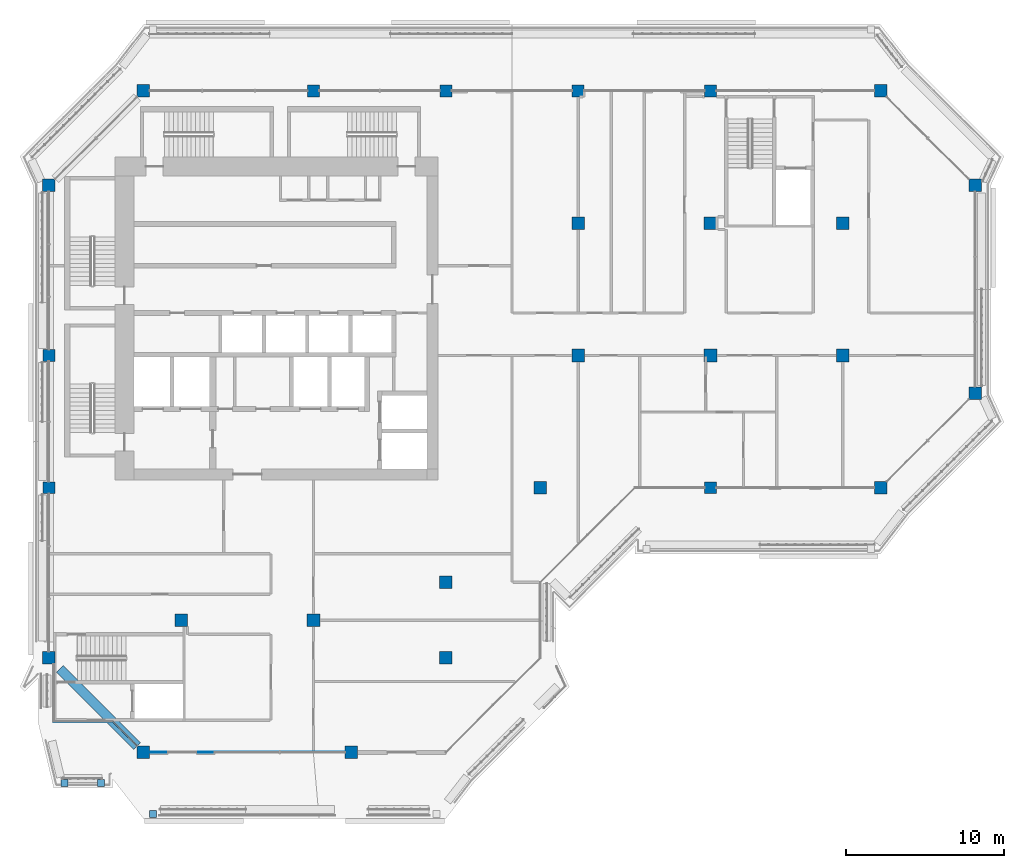
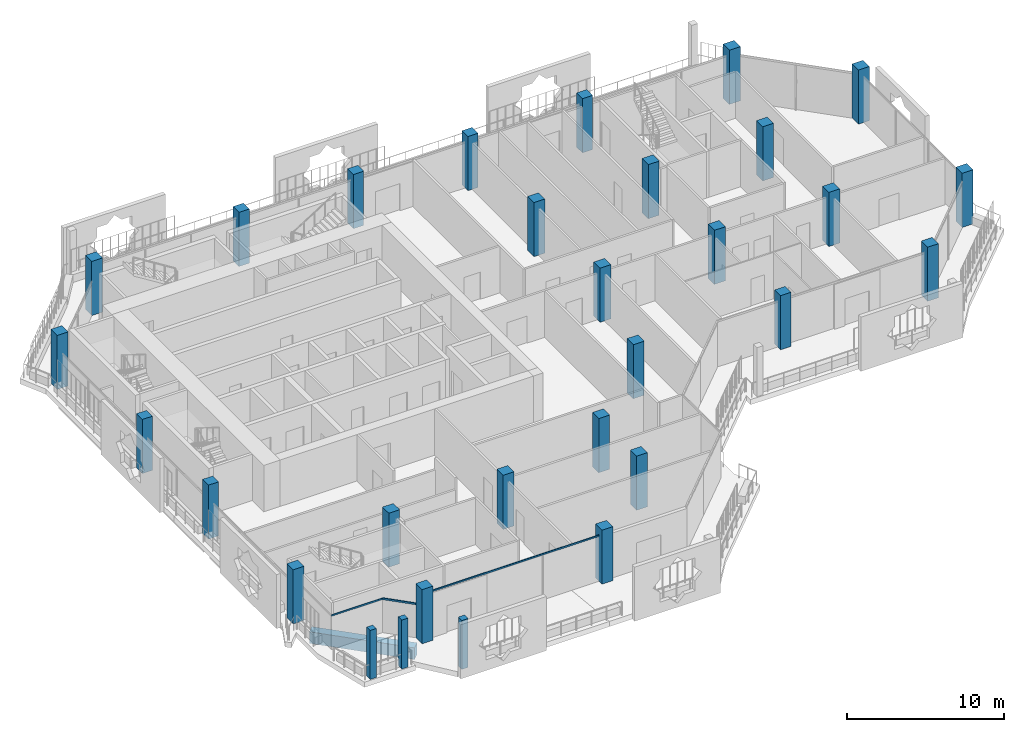
# One storey, part 1 of 22: 27 columns, 6 members, 1 beam, 4 elements without a shape of their own.
"""IFC4 building model written with IfcOpenShell, lengths in metres."""

import ifcopenshell
import ifcopenshell.guid

model = None  # the IFC model being written
_history = None  # IfcOwnerHistory: only IFC2X3 demands one
_inside = {}  # id of a spatial element -> (the spatial element, [elements in it])
_under = {}  # id of a project, library or spatial element -> (it, [spatial elements below it])
_declared = {}  # id of a project -> (the project, [libraries it declares])
_typed = {}  # id of a type object -> (the type object, [elements of that type])
_made_of = {}  # id of a material, layer set ... -> (it, [elements and type objects made of it])


def new_model(schema):
    """Start an empty IFC model of exactly this schema.

    Asked for "IFC4X3", IfcOpenShell would pick the latest addendum, in which some entities
    have other attributes; the version numbers below select the first issue.
    IFC2X3 requires an IfcOwnerHistory on every rooted entity: one is made here for all.
    """
    global model, _history
    if schema == "IFC4X3":
        model = ifcopenshell.file(schema_version=(4, 3, 0, 0))
    else:
        model = ifcopenshell.file(schema=schema)
    _inside.clear()
    _under.clear()
    _declared.clear()
    _typed.clear()
    _made_of.clear()
    _history = None
    if model.schema == "IFC2X3":
        org = make("IfcOrganization", Name="unknown")
        user = make(
            "IfcPersonAndOrganization",
            ThePerson=make("IfcPerson", FamilyName="unknown"),
            TheOrganization=org,
        )
        app = make(
            "IfcApplication",
            ApplicationDeveloper=org,
            Version="unknown",
            ApplicationFullName="unknown",
            ApplicationIdentifier="unknown",
        )
        _history = make(
            "IfcOwnerHistory",
            OwningUser=user,
            OwningApplication=app,
            ChangeAction="ADDED",
            CreationDate=0,
        )
    return model


def make(cls, **values):
    """One entity of the class cls with the attributes given. An attribute that is None is left unset."""
    return model.create_entity(
        cls, **{name: value for name, value in values.items() if value is not None}
    )


def rooted(cls, **values):
    """An entity with a GlobalId (a new one), such as an element, a storey or a relation."""
    return make(cls, GlobalId=ifcopenshell.guid.new(), OwnerHistory=_history, **values)


def si_unit(unit_type, name, prefix=None):
    """IfcSIUnit, for example si_unit("LENGTHUNIT", "METRE", prefix="MILLI")."""
    return make("IfcSIUnit", UnitType=unit_type, Prefix=prefix, Name=name)


def assignment(units):
    """IfcUnitAssignment: the units of a project."""
    return None if units is None else make("IfcUnitAssignment", Units=units)


def point(xyz):
    """IfcCartesianPoint."""
    return None if xyz is None else make("IfcCartesianPoint", Coordinates=xyz)


def direction(xyz):
    """IfcDirection."""
    return None if xyz is None else make("IfcDirection", DirectionRatios=xyz)


def frame(location, z_axis=None, x_axis=None):
    """IfcAxis2Placement3D, a coordinate frame: its origin and axes. An axis left out is left unset."""
    return make(
        "IfcAxis2Placement3D",
        Location=point(location),
        Axis=direction(z_axis),
        RefDirection=direction(x_axis),
    )


def frame_2d(location, x_axis=None):
    """IfcAxis2Placement2D, a coordinate frame in the plane: its origin and x axis."""
    return make(
        "IfcAxis2Placement2D", Location=point(location), RefDirection=direction(x_axis)
    )


def origin():
    """The frame at (0, 0, 0) with its axes left unset."""
    return frame((0.0, 0.0, 0.0))


def origin_2d():
    """The frame at (0, 0) in the plane with its x axis left unset."""
    return frame_2d((0.0, 0.0))


def place(relative_to, where):
    """IfcLocalPlacement: puts the frame where relative to a parent placement (None: the world)."""
    return make(
        "IfcLocalPlacement", PlacementRelTo=relative_to, RelativePlacement=where
    )


def context(
    kind, dimensions, precision=None, world=None, true_north=None, identifier=None
):
    """IfcGeometricRepresentationContext, for example the 3D "Model" context."""
    return make(
        "IfcGeometricRepresentationContext",
        ContextIdentifier=identifier,
        ContextType=kind,
        CoordinateSpaceDimension=dimensions,
        Precision=precision,
        WorldCoordinateSystem=world,
        TrueNorth=true_north,
    )


def subcontext(parent, identifier, kind, view, scale=None):
    """IfcGeometricRepresentationSubContext, for example "Body" below "Model"."""
    return make(
        "IfcGeometricRepresentationSubContext",
        ContextIdentifier=identifier,
        ContextType=kind,
        ParentContext=parent,
        TargetScale=scale,
        TargetView=view,
    )


def project(units=None, contexts=None):
    """IfcProject with its units and contexts."""
    return rooted(
        "IfcProject",
        Name="project",
        RepresentationContexts=contexts,
        UnitsInContext=assignment(units),
    )


def spatial(cls, under=None, at=None, **own):
    """A site, building, storey or space (cls), placed at a placement, below another one or the project."""
    s = rooted(cls, ObjectPlacement=at, **own)
    if under is not None:
        _under.setdefault(under.id(), (under, []))[1].append(s)
    return s


def profile(cls, at=None, kind="AREA", **sizes):
    """A parametric profile (cls). Its sizes go by their IFC names, for example OverallWidth=200.0."""
    return make(cls, ProfileType=kind, Position=at, **sizes)


def rectangle(**sizes):
    """IfcRectangleProfileDef."""
    return profile("IfcRectangleProfileDef", **sizes)


def extrude(swept, where, along, depth):
    """IfcExtrudedAreaSolid: the profile swept, set in the frame where, extruded along a direction by depth."""
    return make(
        "IfcExtrudedAreaSolid",
        SweptArea=swept,
        Position=where,
        ExtrudedDirection=direction(along),
        Depth=depth,
    )


def shape(context_of_items, identifier, shape_type, items):
    """IfcShapeRepresentation: the items that make up one representation, for example the "Body"."""
    return make(
        "IfcShapeRepresentation",
        ContextOfItems=context_of_items,
        RepresentationIdentifier=identifier,
        RepresentationType=shape_type,
        Items=items,
    )


def material(Name=None, Category=None):
    """IfcMaterial."""
    return make("IfcMaterial", Name=Name, Category=Category)


def layer(
    of_material, thickness, ventilated=None, Name=None, Category=None, Priority=None
):
    """IfcMaterialLayer: one layer of a wall or slab, of a material (None: an air gap)."""
    return make(
        "IfcMaterialLayer",
        Material=of_material,
        LayerThickness=thickness,
        IsVentilated=ventilated,
        Name=Name,
        Category=Category,
        Priority=Priority,
    )


def layer_set(layers, Name=None):
    """IfcMaterialLayerSet."""
    return make("IfcMaterialLayerSet", MaterialLayers=layers, LayerSetName=Name)


def material_profile(
    of_material, cross_section, Name=None, Category=None, Priority=None
):
    """IfcMaterialProfile: a cross section and its material."""
    return make(
        "IfcMaterialProfile",
        Name=Name,
        Material=of_material,
        Profile=cross_section,
        Priority=Priority,
        Category=Category,
    )


def profile_set(profiles, Name=None, composite=None):
    """IfcMaterialProfileSet."""
    return make(
        "IfcMaterialProfileSet",
        Name=Name,
        MaterialProfiles=profiles,
        CompositeProfile=composite,
    )


def made_of(thing, what):
    """Note that an element or type object is made of a material, layer set ...; save() writes the relation."""
    if what is not None:
        _made_of.setdefault(what.id(), (what, []))[1].append(thing)
    return thing


def type_object(cls, material=None, **own):
    """A type object (cls), such as IfcWallType, which elements share."""
    return made_of(rooted(cls, **own), material)


def element(
    cls,
    number,
    at=None,
    inside=None,
    cuts=None,
    type_object=None,
    material=None,
    context=None,
    identifier="Body",
    shape_type=None,
    held_by="IfcProductDefinitionShape",
    body=None,
    shapes=None,
    **own,
):
    """One element of the class cls, such as IfcWall. Its Tag is "e" and its number.

    at: its placement. inside: the storey or other place that contains it. cuts: it is an
    opening in that element (IfcRelVoidsElement). A single representation is given by context,
    identifier, shape_type and body (its items); several are given by shapes. held_by: the class
    of the entity that holds the representations. save() writes the other relations.
    """
    e = rooted(cls, Tag="e%d" % number, ObjectPlacement=at, **own)
    if body is not None:
        shapes = [shape(context, identifier, shape_type, body)]
    if shapes is not None:
        e.Representation = make(held_by, Representations=shapes)
    if inside is not None:
        _inside.setdefault(inside.id(), (inside, []))[1].append(e)
    if cuts is not None:
        rooted(
            "IfcRelVoidsElement", RelatingBuildingElement=cuts, RelatedOpeningElement=e
        )
    if type_object is not None:
        _typed.setdefault(type_object.id(), (type_object, []))[1].append(e)
    return made_of(e, material)


def aggregate(whole, parts):
    """IfcRelAggregates: a whole, such as a stair, and the parts it consists of."""
    return rooted("IfcRelAggregates", RelatingObject=whole, RelatedObjects=parts)


def save(model, path):
    """Write the relations noted so far, then the file.

    IfcRelAggregates (storeys below a building ...), IfcRelContainedInSpatialStructure (elements
    in a storey), IfcRelDefinesByType, IfcRelAssociatesMaterial and IfcRelDeclares: one each for
    every whole, place, type object, material and project.
    """
    for whole, parts in _under.values():
        aggregate(whole, parts)
    for where, things in _inside.values():
        rooted(
            "IfcRelContainedInSpatialStructure",
            RelatedElements=things,
            RelatingStructure=where,
        )
    for kind, things in _typed.values():
        rooted("IfcRelDefinesByType", RelatedObjects=things, RelatingType=kind)
    for what, things in _made_of.values():
        rooted("IfcRelAssociatesMaterial", RelatedObjects=things, RelatingMaterial=what)
    for by, libraries in _declared.values():
        rooted("IfcRelDeclares", RelatingContext=by, RelatedDefinitions=libraries)
    model.write(path)


model = new_model("IFC4")

# Units and contexts
model_context = context("Model", 3, precision=1e-05, world=origin(), true_north=direction((0.0, 1.0)))
body_context = subcontext(model_context, "Body", "Model", "MODEL_VIEW")
ifc_project = project(units=[si_unit("LENGTHUNIT", "METRE"), si_unit("AREAUNIT", "SQUARE_METRE"), si_unit("VOLUMEUNIT", "CUBIC_METRE"), si_unit("PLANEANGLEUNIT", "RADIAN"), si_unit("MASSUNIT", "GRAM", prefix="KILO")], contexts=[model_context])

# Site, building, storey
site_placement = place(None, origin())
site = spatial("IfcSite", under=ifc_project, at=site_placement, CompositionType="ELEMENT")
building_placement = place(site_placement, origin())
building = spatial("IfcBuilding", under=site, at=building_placement, Name="Kawkab Arch Medical Tower", CompositionType="ELEMENT")
storey_placement = place(building_placement, frame((0.0, 0.0, 298.60009765625)))
storey = spatial("IfcBuildingStorey", under=building, at=storey_placement, Name="L69", CompositionType="ELEMENT", Elevation=298.60009765625)

# Columns
ifc_material_1 = material(Name="Concrete C40/50", Category="concrete")
ifc_material_profile_1 = material_profile(ifc_material_1, rectangle(XDim=0.75, YDim=0.75, at=origin_2d()), Name="RC 750x750")
ifc_profile_set_1 = profile_set([ifc_material_profile_1], Name="Concrete C40/50")
column_type_1 = type_object("IfcColumnType", Name="RC 750x750 column C40/50", PredefinedType="COLUMN", material=ifc_profile_set_1)
for number, where, z_axis, x_axis, name in (
    (1, (16.800048828125, 0.0, 0.0), (0.0, 0.0, 1.0), (1.0, 0.0, 0.0), "Column RC 750x750"),
    (2, (25.199951171875, 0.0, 0.0), (0.0, 0.0, 1.0), (1.0, 0.0, 0.0), "Column RC 750x750"),
    (3, (33.60009765625, 0.0, 0.0), (0.0, 0.0, 1.0), (1.0, 0.0, 0.0), "Column RC 750x750"),
    (4, (42.0, 0.0, 0.0), (0.0, 0.0, 1.0), (1.0, 0.0, 0.0), "Column RC 750x750"),
    (5, (0.0, -16.800048828125, 0.0), (0.0, 0.0, 1.0), (1.0, 0.0, 0.0), "Column RC 750x750"),
    (6, (0.0, -25.199951171875, 0.0), (0.0, 0.0, 1.0), (1.0, 0.0, 0.0), "Column RC 750x750"),
    (7, (42.0, -25.199951171875, 0.0), (0.0, 0.0, 1.0), (1.0, 0.0, 0.0), "Column RC 750x750"),
):
    element("IfcColumn", number, at=place(storey_placement, frame(where, z_axis=z_axis, x_axis=x_axis)), inside=storey, type_object=column_type_1, Name=name, PredefinedType="COLUMN", context=body_context, shape_type="SweptSolid", body=[
        extrude(rectangle(XDim=0.75, YDim=0.75, at=origin_2d()), origin(), (0.0, 0.0, 1.0), 4.199951171875),
    ])
ifc_material_2 = material(Name="Concrete C40/50", Category="concrete")
ifc_material_profile_2 = material_profile(ifc_material_2, rectangle(XDim=0.800048828125, YDim=0.800048828125, at=origin_2d()), Name="RC 800x800")
ifc_profile_set_2 = profile_set([ifc_material_profile_2], Name="Concrete C40/50")
column_type_2 = type_object("IfcColumnType", Name="RC 800x800 column C40/50", PredefinedType="COLUMN", material=ifc_profile_set_2)
for number, where, z_axis, x_axis, name in (
    (8, (6.0, 0.0, 0.0), (0.0, 0.0, 1.0), (1.0, 0.0, 0.0), "Column RC 800x800"),
    (9, (52.800048828125, 0.0, 0.0), (0.0, 0.0, 1.0), (1.0, 0.0, 0.0), "Column RC 800x800"),
    (10, (0.0, -6.0, 0.0), (0.0, 0.0, 1.0), (1.0, 0.0, 0.0), "Column RC 800x800"),
    (11, (58.800048828125, -6.0, 0.0), (0.0, 0.0, 1.0), (1.0, 0.0, 0.0), "Column RC 800x800"),
    (12, (33.60009765625, -8.39990234375, 0.0), (0.0, 0.0, 1.0), (1.0, 0.0, 0.0), "Column RC 800x800"),
    (13, (42.0, -8.39990234375, 0.0), (0.0, 0.0, 1.0), (1.0, 0.0, 0.0), "Column RC 800x800"),
    (14, (50.39990234375, -8.39990234375, 0.0), (0.0, 0.0, 1.0), (1.0, 0.0, 0.0), "Column RC 800x800"),
    (15, (33.60009765625, -16.800048828125, 0.0), (0.0, 0.0, 1.0), (1.0, 0.0, 0.0), "Column RC 800x800"),
    (16, (42.0, -16.800048828125, 0.0), (0.0, 0.0, 1.0), (1.0, 0.0, 0.0), "Column RC 800x800"),
    (17, (50.39990234375, -16.800048828125, 0.0), (0.0, 0.0, 1.0), (1.0, 0.0, 0.0), "Column RC 800x800"),
    (18, (58.800048828125, -19.199951171875, 0.0), (0.0, 0.0, 1.0), (1.0, 0.0, 0.0), "Column RC 800x800"),
    (19, (31.199951171875, -25.199951171875, 0.0), (0.0, 0.0, 1.0), (1.0, 0.0, 0.0), "Column RC 800x800"),
    (20, (52.800048828125, -25.199951171875, 0.0), (0.0, 0.0, 1.0), (1.0, 0.0, 0.0), "Column RC 800x800"),
    (21, (25.199951171875, -31.199951171875, 0.0), (0.0, 0.0, 1.0), (1.0, 0.0, 0.0), "Column RC 800x800"),
    (22, (8.39990234375, -33.60009765625, 0.0), (0.0, 0.0, 1.0), (1.0, 0.0, 0.0), "Column RC 800x800"),
    (23, (16.800048828125, -33.60009765625, 0.0), (0.0, 0.0, 1.0), (1.0, 0.0, 0.0), "Column RC 800x800"),
    (24, (0.0, -36.0, 0.0), (0.0, 0.0, 1.0), (1.0, 0.0, 0.0), "Column RC 800x800"),
    (25, (25.199951171875, -36.0, 0.0), (0.0, 0.0, 1.0), (1.0, 0.0, 0.0), "Column RC 800x800"),
    (26, (6.0, -42.0, 0.0), (0.0, 0.0, 1.0), (1.0, 0.0, 0.0), "Column RC 800x800"),
    (27, (19.199951171875, -42.0, 0.0), (0.0, 0.0, 1.0), (1.0, 0.0, 0.0), "Column RC 800x800"),
):
    element("IfcColumn", number, at=place(storey_placement, frame(where, z_axis=z_axis, x_axis=x_axis)), inside=storey, type_object=column_type_2, Name=name, PredefinedType="COLUMN", context=body_context, shape_type="SweptSolid", body=[
        extrude(rectangle(XDim=0.800048828125, YDim=0.800048828125, at=origin_2d()), origin(), (0.0, 0.0, 1.0), 4.199951171875),
    ])

# Curtain wall, member
ifc_material_3 = material(Name="Bronze anodised aluminium curtain wall frame", Category="aluminium")
ifc_layer_1 = layer(ifc_material_3, 0.159912109375)
ifc_layer_set_1 = layer_set([ifc_layer_1], Name="Bronze anodised aluminium curtain wall frame")
curtain_wall_type_1 = type_object("IfcCurtainWallType", Name="CW1 ward curtain wall", PredefinedType="NOTDEFINED", material=ifc_layer_set_1)
placement = place(storey_placement, origin())
curtain_wall_1 = element("IfcCurtainWall", 28, at=placement, inside=storey, type_object=curtain_wall_type_1, Name="CW1 Ward curtain wall R05", PredefinedType="NOTDEFINED")
ifc_material_4 = material(Name="Bronze anodised aluminium curtain wall frame", Category="aluminium")
ifc_material_profile_3 = material_profile(ifc_material_4, rectangle(XDim=0.06005859375, YDim=0.1201171875, at=origin_2d()), Name="AL 60x120")
ifc_profile_set_3 = profile_set([ifc_material_profile_3], Name="Bronze anodised aluminium curtain wall frame")
member_type_1 = type_object("IfcMemberType", Name="CW1 transom 120 x 60", PredefinedType="USERDEFINED", material=ifc_profile_set_3)
member_1_placement = place(storey_placement, frame((0.300048828125, -40.050048828125, 2.639892578125), z_axis=(1.0, 0.0, 0.0), x_axis=(0.0, 1.0, 0.0)))
member_1 = element("IfcMember", 29, at=member_1_placement, type_object=member_type_1, Name="CW1 transom 1", ObjectType="TRANSOM", PredefinedType="USERDEFINED", context=body_context, shape_type="SweptSolid", body=[
    extrude(rectangle(XDim=0.06005859375, YDim=0.1201171875, at=origin_2d()), origin(), (0.0, 0.0, 1.0), 3.75),
])
aggregate(curtain_wall_1, [member_1])

curtain_wall_2 = element("IfcCurtainWall", 30, at=placement, inside=storey, type_object=curtain_wall_type_1, Name="CW1 Ward curtain wall R07", PredefinedType="NOTDEFINED")
member_2_placement = place(storey_placement, frame((6.39990234375, -42.0, 3.539794921875), z_axis=(1.0, 0.0, 0.0), x_axis=(0.0, 1.0, 0.0)))
member_2 = element("IfcMember", 31, at=member_2_placement, type_object=member_type_1, Name="CW1 transom 1", ObjectType="TRANSOM", PredefinedType="USERDEFINED", context=body_context, shape_type="SweptSolid", body=[
    extrude(rectangle(XDim=0.06005859375, YDim=0.1201171875, at=origin_2d()), origin(), (0.0, 0.0, 1.0), 12.400146484375),
])
aggregate(curtain_wall_2, [member_2])

ifc_material_5 = material(Name="Bronze anodised aluminium curtain wall frame", Category="aluminium")
ifc_layer_2 = layer(ifc_material_5, 0.159912109375)
ifc_layer_set_2 = layer_set([ifc_layer_2], Name="Bronze anodised aluminium curtain wall frame")
curtain_wall_type_2 = type_object("IfcCurtainWallType", Name="CW2 chamfer curtain wall", PredefinedType="NOTDEFINED", material=ifc_layer_set_2)
curtain_wall_3 = element("IfcCurtainWall", 32, at=placement, inside=storey, type_object=curtain_wall_type_2, Name="CW2 Chamfer curtain wall R06", PredefinedType="NOTDEFINED")
ifc_material_6 = material(Name="Bronze anodised aluminium curtain wall frame", Category="aluminium")
ifc_material_profile_4 = material_profile(ifc_material_6, rectangle(XDim=0.06005859375, YDim=0.139892578125, at=origin_2d()), Name="AL 60x140")
ifc_profile_set_4 = profile_set([ifc_material_profile_4], Name="Bronze anodised aluminium curtain wall frame")
member_type_2 = type_object("IfcMemberType", Name="CW2 transom 140 x 60", PredefinedType="USERDEFINED", material=ifc_profile_set_4)
member_3_placement = place(storey_placement, frame((4.050048828125, -40.050048828125, 2.6298828125), z_axis=(0.707106781187, -0.707106781187, 0.0), x_axis=(0.707106781187, 0.707106781187, 0.0)))
member_3 = element("IfcMember", 33, at=member_3_placement, type_object=member_type_2, Name="CW2 transom 1", ObjectType="TRANSOM", PredefinedType="USERDEFINED", context=body_context, shape_type="SweptSolid", body=[
    extrude(rectangle(XDim=0.06005859375, YDim=0.139892578125, at=origin_2d()), origin(), (0.0, 0.0, 1.0), 2.192138671875),
])
aggregate(curtain_wall_3, [member_3])

# Curtain wall, members
ifc_material_7 = material(Name="Bronze anodised aluminium climber frame, planted", Category="aluminium")
ifc_layer_3 = layer(ifc_material_7, 0.449951171875)
ifc_layer_set_3 = layer_set([ifc_layer_3], Name="Bronze anodised aluminium climber frame, planted")
curtain_wall_type_3 = type_object("IfcCurtainWallType", Name="Planted climber frame", PredefinedType="NOTDEFINED", material=ifc_layer_set_3)
curtain_wall_4 = element("IfcCurtainWall", 34, at=placement, inside=storey, type_object=curtain_wall_type_3, Name="Planted climber frame L69", PredefinedType="NOTDEFINED")
ifc_material_8 = material(Name="Bronze anodised aluminium climber frame, planted", Category="aluminium")
ifc_material_profile_5 = material_profile(ifc_material_8, rectangle(XDim=0.449951171875, YDim=0.449951171875, at=origin_2d()), Name="Post 450x450")
ifc_profile_set_5 = profile_set([ifc_material_profile_5], Name="Bronze anodised aluminium climber frame, planted")
member_type_3 = type_object("IfcMemberType", Name="Planted climber post 450 x 450", PredefinedType="MULLION", material=ifc_profile_set_5)
member_4_placement = place(storey_placement, frame((3.300048828125, -43.949951171875, 0.0), z_axis=(0.0, 0.0, 1.0), x_axis=(1.0, 0.0, 0.0)))
member_4 = element("IfcMember", 35, at=member_4_placement, type_object=member_type_3, Name="Planted climber post L69.LOG-01-01.1", PredefinedType="MULLION", context=body_context, shape_type="SweptSolid", body=[
    extrude(rectangle(XDim=0.449951171875, YDim=0.449951171875, at=origin_2d()), origin(), (0.0, 0.0, 1.0), 3.7998046875),
])
member_5_placement = place(storey_placement, frame((0.987060546875, -43.949951171875, 0.0), z_axis=(0.0, 0.0, 1.0), x_axis=(1.0, 0.0, 0.0)))
member_5 = element("IfcMember", 36, at=member_5_placement, type_object=member_type_3, Name="Planted climber post L69.LOG-01-01.2", PredefinedType="MULLION", context=body_context, shape_type="SweptSolid", body=[
    extrude(rectangle(XDim=0.449951171875, YDim=0.449951171875, at=origin_2d()), origin(), (0.0, 0.0, 1.0), 3.7998046875),
])
member_6_placement = place(storey_placement, frame((6.596923828125, -45.89990234375, 0.0), z_axis=(0.0, 0.0, 1.0), x_axis=(1.0, 0.0, 0.0)))
member_6 = element("IfcMember", 37, at=member_6_placement, type_object=member_type_3, Name="Planted climber post L69.LOG-01-01.8", PredefinedType="MULLION", context=body_context, shape_type="SweptSolid", body=[
    extrude(rectangle(XDim=0.449951171875, YDim=0.449951171875, at=origin_2d()), origin(), (0.0, 0.0, 1.0), 3.7998046875),
])
aggregate(curtain_wall_4, [member_4, member_5, member_6])

# Beam
ifc_material_9 = material(Name="Concrete C40/50", Category="concrete")
ifc_material_profile_6 = material_profile(ifc_material_9, rectangle(XDim=0.60009765625, YDim=0.89990234375, at=origin_2d()), Name="RC 600x900")
ifc_profile_set_6 = profile_set([ifc_material_profile_6], Name="Concrete C40/50")
beam_type = type_object("IfcBeamType", Name="RC 600x900 beam C40/50", PredefinedType="BEAM", material=ifc_profile_set_6)
beam_placement = place(storey_placement, frame((5.60009765625, -41.60009765625, -1.050048828125), z_axis=(-0.707106781187, 0.707106781187, 0.0), x_axis=(-0.707106781187, -0.707106781187, 0.0)))
element("IfcBeam", 38, at=beam_placement, inside=storey, type_object=beam_type, Name="Overhang edge beam L69-02", PredefinedType="BEAM", context=body_context, shape_type="SweptSolid", body=[
    extrude(rectangle(XDim=0.60009765625, YDim=0.89990234375, at=origin_2d()), origin(), (0.0, 0.0, 1.0), 6.929931640625),
])

save(model, "model.ifc")
